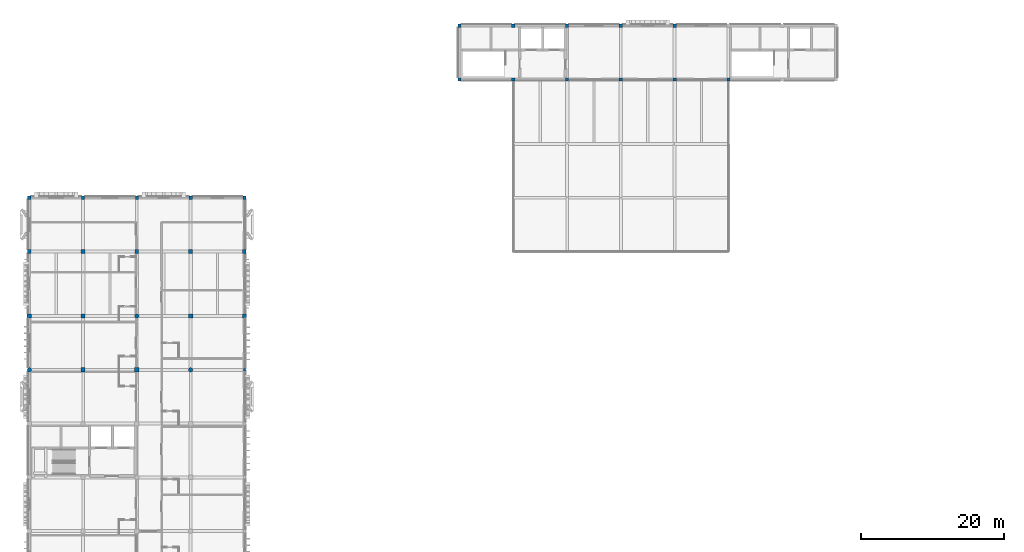
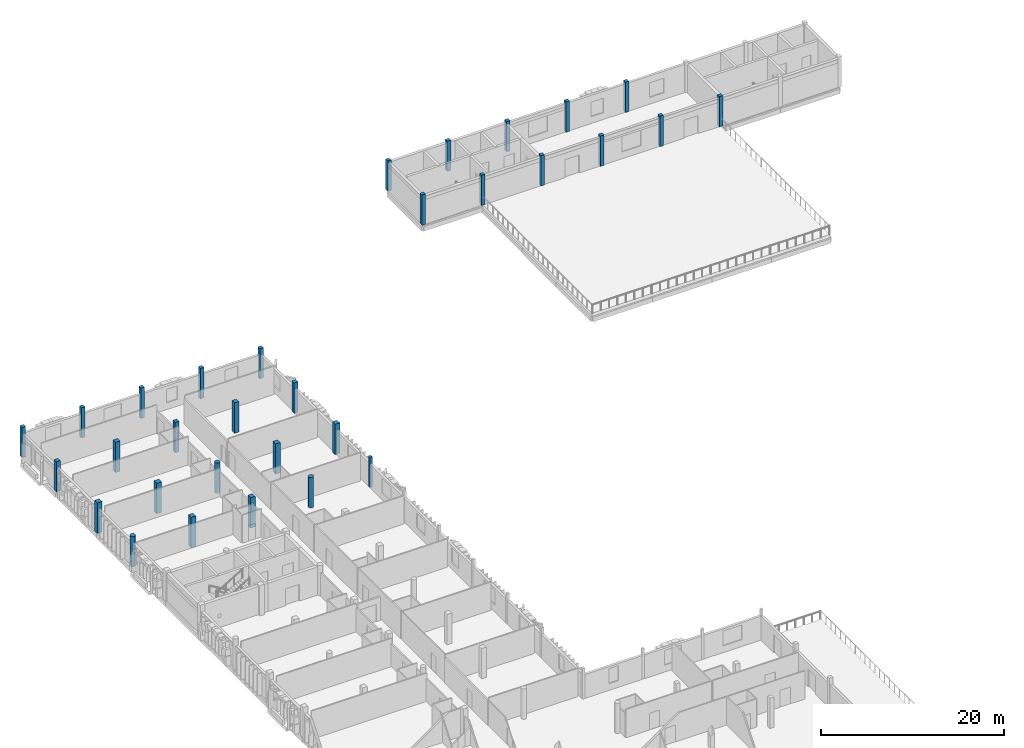
# One storey, part 4 of 33: 31 columns.
"""IFC4 building model written with IfcOpenShell, lengths in metres."""

from ifc_helpers import new_model, si_unit, direction, frame, origin, origin_2d, place, context, subcontext, project, spatial, rectangle, circle, extrude, material, material_profile, profile_set, type_object, element, save


model = new_model("IFC4")

# Units and contexts
model_context = context("Model", 3, precision=1e-05, world=origin(), true_north=direction((0.0, 1.0)))
body_context = subcontext(model_context, "Body", "Model", "MODEL_VIEW")
ifc_project = project(units=[si_unit("LENGTHUNIT", "METRE"), si_unit("AREAUNIT", "SQUARE_METRE"), si_unit("VOLUMEUNIT", "CUBIC_METRE"), si_unit("PLANEANGLEUNIT", "RADIAN"), si_unit("MASSUNIT", "GRAM", prefix="KILO")], contexts=[model_context])

# Site, building, storey
site_placement = place(None, origin())
site = spatial("IfcSite", under=ifc_project, at=site_placement, CompositionType="ELEMENT")
building_placement = place(site_placement, origin())
building = spatial("IfcBuilding", under=site, at=building_placement, Name="Dalvernix Boulevard General Hospital", CompositionType="ELEMENT")
storey_placement = place(building_placement, frame((0.0, 0.0, 21.89990234375)))
storey = spatial("IfcBuildingStorey", under=building, at=storey_placement, Name="L05", CompositionType="ELEMENT", Elevation=21.89990234375)

# Columns
ifc_material_1 = material(Name="Concrete C40/50", Category="concrete")
ifc_material_profile_1 = material_profile(ifc_material_1, rectangle(XDim=0.60009765625, YDim=0.60009765625, at=origin_2d()), Name="RC 600x600")
ifc_profile_set_1 = profile_set([ifc_material_profile_1], Name="Concrete C40/50")
column_type_1 = type_object("IfcColumnType", Name="COL-C-07-E", PredefinedType="COLUMN", material=ifc_profile_set_1)
for number, where, z_axis, x_axis, name in (
    (1, (0.0, 76.5, 0.0), (0.0, 0.0, 1.0), (1.0, 0.0, 0.0), "L05 column 1L"),
    (2, (30.0, 76.5, 0.0), (0.0, 0.0, 1.0), (1.0, 0.0, 0.0), "L05 column 5L"),
):
    element("IfcColumn", number, at=place(storey_placement, frame(where, z_axis=z_axis, x_axis=x_axis)), inside=storey, type_object=column_type_1, Name=name, PredefinedType="COLUMN", context=body_context, shape_type="SweptSolid", body=[
        extrude(rectangle(XDim=0.60009765625, YDim=0.60009765625, at=origin_2d()), origin(), (0.0, 0.0, 1.0), 4.050048828125),
    ])
ifc_material_profile_2 = material_profile(ifc_material_1, rectangle(XDim=0.60009765625, YDim=0.60009765625, at=origin_2d()), Name="RC 600x600")
ifc_profile_set_2 = profile_set([ifc_material_profile_2], Name="Concrete C40/50")
column_type_2 = type_object("IfcColumnType", Name="COL-C-07-I", PredefinedType="COLUMN", material=ifc_profile_set_2)
for number, where, z_axis, x_axis, name in (
    (3, (7.5, 69.0, 0.0), (0.0, 0.0, 1.0), (1.0, 0.0, 0.0), "L05 column 2K"),
    (4, (7.5, 76.5, 0.0), (0.0, 0.0, 1.0), (1.0, 0.0, 0.0), "L05 column 2L"),
    (5, (15.0, 69.0, 0.0), (0.0, 0.0, 1.0), (1.0, 0.0, 0.0), "L05 column 3K"),
    (6, (22.5, 76.5, 0.0), (0.0, 0.0, 1.0), (1.0, 0.0, 0.0), "L05 column 4L"),
):
    element("IfcColumn", number, at=place(storey_placement, frame(where, z_axis=z_axis, x_axis=x_axis)), inside=storey, type_object=column_type_2, Name=name, PredefinedType="COLUMN", context=body_context, shape_type="SweptSolid", body=[
        extrude(rectangle(XDim=0.60009765625, YDim=0.60009765625, at=origin_2d()), origin(), (0.0, 0.0, 1.0), 4.050048828125),
    ])
ifc_material_profile_3 = material_profile(ifc_material_1, rectangle(XDim=0.550048828125, YDim=0.550048828125, at=origin_2d()), Name="RC 550x550")
ifc_profile_set_3 = profile_set([ifc_material_profile_3], Name="Concrete C40/50")
column_type_3 = type_object("IfcColumnType", Name="COL-C-08-I", PredefinedType="COLUMN", material=ifc_profile_set_3)
for number, where, z_axis, x_axis, name in (
    (7, (7.5, 85.5, 0.0), (0.0, 0.0, 1.0), (1.0, 0.0, 0.0), "L05 column 2M"),
    (8, (22.5, 85.5, 0.0), (0.0, 0.0, 1.0), (1.0, 0.0, 0.0), "L05 column 4M"),
):
    element("IfcColumn", number, at=place(storey_placement, frame(where, z_axis=z_axis, x_axis=x_axis)), inside=storey, type_object=column_type_3, Name=name, PredefinedType="COLUMN", context=body_context, shape_type="SweptSolid", body=[
        extrude(rectangle(XDim=0.550048828125, YDim=0.550048828125, at=origin_2d()), origin(), (0.0, 0.0, 1.0), 4.050048828125),
    ])
ifc_material_profile_4 = material_profile(ifc_material_1, rectangle(XDim=0.5, YDim=0.5, at=origin_2d()), Name="RC 500x500")
ifc_profile_set_4 = profile_set([ifc_material_profile_4], Name="Concrete C40/50")
column_type_4 = type_object("IfcColumnType", Name="COL-C-09-E", PredefinedType="COLUMN", material=ifc_profile_set_4)
for number, where, z_axis, x_axis, name in (
    (9, (0.0, 85.5, 0.0), (0.0, 0.0, 1.0), (1.0, 0.0, 0.0), "L05 column 1M"),
    (10, (30.0, 85.5, 0.0), (0.0, 0.0, 1.0), (1.0, 0.0, 0.0), "L05 column 5M"),
):
    element("IfcColumn", number, at=place(storey_placement, frame(where, z_axis=z_axis, x_axis=x_axis)), inside=storey, type_object=column_type_4, Name=name, PredefinedType="COLUMN", context=body_context, shape_type="SweptSolid", body=[
        extrude(rectangle(XDim=0.5, YDim=0.5, at=origin_2d()), origin(), (0.0, 0.0, 1.0), 4.050048828125),
    ])
ifc_material_profile_5 = material_profile(ifc_material_1, rectangle(XDim=0.5, YDim=0.5, at=origin_2d()), Name="RC 500x500")
ifc_profile_set_5 = profile_set([ifc_material_profile_5], Name="Concrete C40/50")
column_type_5 = type_object("IfcColumnType", Name="COL-C-09-I", PredefinedType="COLUMN", material=ifc_profile_set_5)
column_1_placement = place(storey_placement, frame((15.0, 85.5, 0.0), z_axis=(0.0, 0.0, 1.0), x_axis=(1.0, 0.0, 0.0)))
element("IfcColumn", 11, at=column_1_placement, inside=storey, type_object=column_type_5, Name="L05 column 3M", PredefinedType="COLUMN", context=body_context, shape_type="SweptSolid", body=[
    extrude(rectangle(XDim=0.5, YDim=0.5, at=origin_2d()), origin(), (0.0, 0.0, 1.0), 4.050048828125),
])
ifc_material_profile_6 = material_profile(ifc_material_1, rectangle(XDim=0.449951171875, YDim=0.449951171875, at=origin_2d()), Name="RC 450x450")
ifc_profile_set_6 = profile_set([ifc_material_profile_6], Name="Concrete C40/50")
column_type_6 = type_object("IfcColumnType", Name="COL-C-10-E", PredefinedType="COLUMN", material=ifc_profile_set_6)
for number, where, z_axis, x_axis, name in (
    (12, (0.0, 93.0, 0.0), (0.0, 0.0, 1.0), (1.0, 0.0, 0.0), "L05 column 1N"),
    (13, (7.5, 93.0, 0.0), (0.0, 0.0, 1.0), (1.0, 0.0, 0.0), "L05 column 2N"),
    (14, (15.0, 93.0, 0.0), (0.0, 0.0, 1.0), (1.0, 0.0, 0.0), "L05 column 3N"),
    (15, (22.5, 93.0, 0.0), (0.0, 0.0, 1.0), (1.0, 0.0, 0.0), "L05 column 4N"),
    (16, (30.0, 93.0, 0.0), (0.0, 0.0, 1.0), (1.0, 0.0, 0.0), "L05 column 5N"),
    (17, (60.0, 109.5, 0.0), (0.0, 0.0, 1.0), (1.0, 0.0, 0.0), "L05 column 9Q"),
    (18, (60.0, 117.0, 0.0), (0.0, 0.0, 1.0), (1.0, 0.0, 0.0), "L05 column 9R"),
    (19, (67.5, 109.5, 0.0), (0.0, 0.0, 1.0), (1.0, 0.0, 0.0), "L05 column 10Q"),
    (20, (67.5, 117.0, 0.0), (0.0, 0.0, 1.0), (1.0, 0.0, 0.0), "L05 column 10R"),
    (21, (75.0, 109.5, 0.0), (0.0, 0.0, 1.0), (1.0, 0.0, 0.0), "L05 column 11Q"),
    (22, (75.0, 117.0, 0.0), (0.0, 0.0, 1.0), (1.0, 0.0, 0.0), "L05 column 11R"),
    (23, (82.5, 109.5, 0.0), (0.0, 0.0, 1.0), (1.0, 0.0, 0.0), "L05 column 12Q"),
    (24, (82.5, 117.0, 0.0), (0.0, 0.0, 1.0), (1.0, 0.0, 0.0), "L05 column 12R"),
    (25, (90.0, 109.5, 0.0), (0.0, 0.0, 1.0), (1.0, 0.0, 0.0), "L05 column 13Q"),
    (26, (90.0, 117.0, 0.0), (0.0, 0.0, 1.0), (1.0, 0.0, 0.0), "L05 column 13R"),
    (27, (97.5, 109.5, 0.0), (0.0, 0.0, 1.0), (1.0, 0.0, 0.0), "L05 column 14Q"),
):
    element("IfcColumn", number, at=place(storey_placement, frame(where, z_axis=z_axis, x_axis=x_axis)), inside=storey, type_object=column_type_6, Name=name, PredefinedType="COLUMN", context=body_context, shape_type="SweptSolid", body=[
        extrude(rectangle(XDim=0.449951171875, YDim=0.449951171875, at=origin_2d()), origin(), (0.0, 0.0, 1.0), 4.050048828125),
    ])
ifc_material_profile_7 = material_profile(ifc_material_1, circle(Radius=0.300048828125, at=origin_2d()), Name="RC D600")
ifc_profile_set_7 = profile_set([ifc_material_profile_7], Name="Concrete C40/50")
column_type_7 = type_object("IfcColumnType", Name="COL-C-15-E", PredefinedType="COLUMN", material=ifc_profile_set_7)
column_2_placement = place(storey_placement, frame((0.0, 69.0, 0.0), z_axis=(0.0, 0.0, 1.0), x_axis=(1.0, 0.0, 0.0)))
element("IfcColumn", 28, at=column_2_placement, inside=storey, type_object=column_type_7, Name="L05 column 1K", PredefinedType="COLUMN", context=body_context, shape_type="SweptSolid", body=[
    extrude(circle(Radius=0.300048828125, at=origin_2d()), origin(), (0.0, 0.0, 1.0), 4.050048828125),
])
ifc_material_profile_8 = material_profile(ifc_material_1, circle(Radius=0.300048828125, at=origin_2d()), Name="RC D600")
ifc_profile_set_8 = profile_set([ifc_material_profile_8], Name="Concrete C40/50")
column_type_8 = type_object("IfcColumnType", Name="COL-C-15-I", PredefinedType="COLUMN", material=ifc_profile_set_8)
for number, where, z_axis, x_axis, name in (
    (29, (15.0, 76.5, 0.0), (0.0, 0.0, 1.0), (1.0, 0.0, 0.0), "L05 column 3L"),
    (30, (22.5, 69.0, 0.0), (0.0, 0.0, 1.0), (1.0, 0.0, 0.0), "L05 column 4K"),
):
    element("IfcColumn", number, at=place(storey_placement, frame(where, z_axis=z_axis, x_axis=x_axis)), inside=storey, type_object=column_type_8, Name=name, PredefinedType="COLUMN", context=body_context, shape_type="SweptSolid", body=[
        extrude(circle(Radius=0.300048828125, at=origin_2d()), origin(), (0.0, 0.0, 1.0), 4.050048828125),
    ])
ifc_material_2 = material(Name="Glulam GL28h", Category="wood")
ifc_material_profile_9 = material_profile(ifc_material_2, rectangle(XDim=0.320068359375, YDim=0.320068359375, at=origin_2d()), Name="GL28h 320x320")
ifc_profile_set_9 = profile_set([ifc_material_profile_9], Name="Glulam GL28h")
column_type_9 = type_object("IfcColumnType", Name="COL-C-20-E", PredefinedType="COLUMN", material=ifc_profile_set_9)
column_3_placement = place(storey_placement, frame((30.0, 69.0, 0.0), z_axis=(0.0, 0.0, 1.0), x_axis=(1.0, 0.0, 0.0)))
element("IfcColumn", 31, at=column_3_placement, inside=storey, type_object=column_type_9, Name="L05 column 5K", PredefinedType="COLUMN", context=body_context, shape_type="SweptSolid", body=[
    extrude(rectangle(XDim=0.320068359375, YDim=0.320068359375, at=origin_2d()), origin(), (0.0, 0.0, 1.0), 4.050048828125),
])

save(model, "model.ifc")
